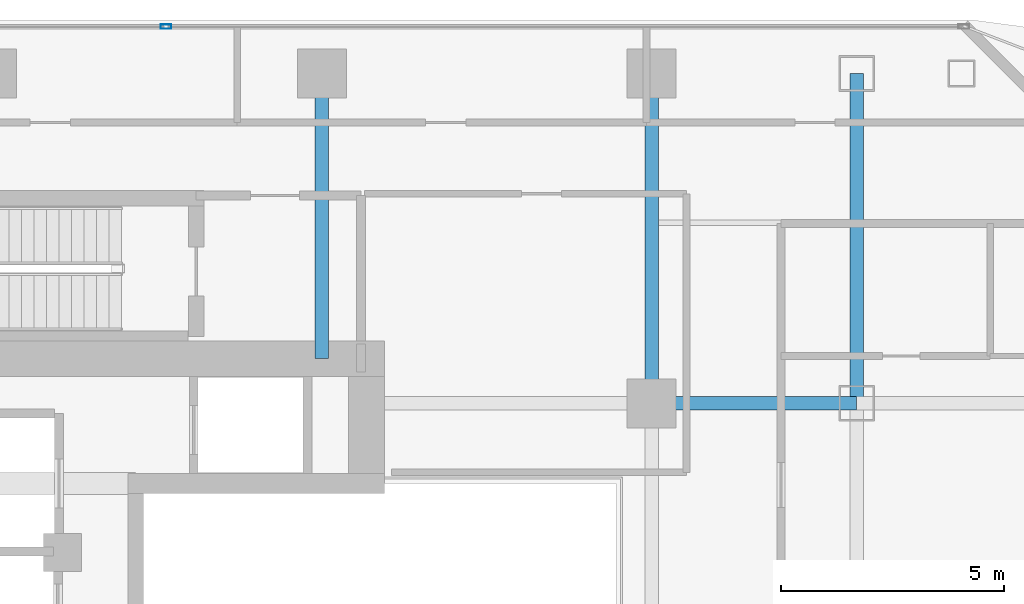
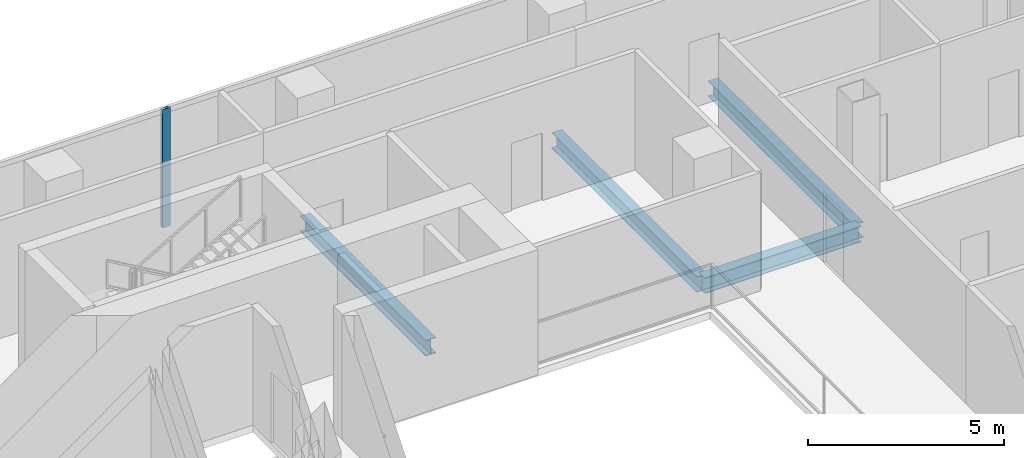
# One storey, part 15 of 27: 4 beams, 1 member, 1 element without a shape of its own.
"""IFC4 building model written with IfcOpenShell, lengths in metres."""

from ifc_helpers import new_model, si_unit, direction, frame, origin, origin_2d, place, context, subcontext, project, spatial, hollow_rectangle, i_section, extrude, material, layer, layer_set, material_profile, profile_set, type_object, element, aggregate, save


model = new_model("IFC4")

# Units and contexts
model_context = context("Model", 3, precision=1e-05, world=origin(), true_north=direction((0.0, 1.0)))
body_context = subcontext(model_context, "Body", "Model", "MODEL_VIEW")
ifc_project = project(units=[si_unit("LENGTHUNIT", "METRE"), si_unit("AREAUNIT", "SQUARE_METRE"), si_unit("VOLUMEUNIT", "CUBIC_METRE"), si_unit("PLANEANGLEUNIT", "RADIAN"), si_unit("MASSUNIT", "GRAM", prefix="KILO")], contexts=[model_context])

# Site, building, storey
site_placement = place(None, origin())
site = spatial("IfcSite", under=ifc_project, at=site_placement, CompositionType="ELEMENT")
building_placement = place(site_placement, origin())
building = spatial("IfcBuilding", under=site, at=building_placement, Name="Khorvyn Point Tower", CompositionType="ELEMENT")
storey_placement = place(building_placement, frame((0.0, 0.0, 227.39990234375)))
storey = spatial("IfcBuildingStorey", under=building, at=storey_placement, Name="L56", CompositionType="ELEMENT", Elevation=227.39990234375)

# Curtain wall, member
ifc_material_1 = material(Name="Anodised aluminium 6063-T6 and laminated Low-E glass", Category="aluminium")
ifc_layer = layer(ifc_material_1, 0.18994140625)
ifc_layer_set = layer_set([ifc_layer], Name="Stick-Built Acoustic Curtain Wall CW-SYS-03")
curtain_wall_type = type_object("IfcCurtainWallType", Name="Stick-Built Acoustic Curtain Wall CW-SYS-03", PredefinedType="NOTDEFINED", material=ifc_layer_set)
curtain_wall_placement = place(storey_placement, origin())
curtain_wall = element("IfcCurtainWall", 1, at=curtain_wall_placement, inside=storey, type_object=curtain_wall_type, Name="Curtain Wall", PredefinedType="NOTDEFINED")
ifc_material_2 = material(Name="Anodised aluminium 6063-T6", Category="aluminium")
ifc_material_profile_1 = material_profile(ifc_material_2, hollow_rectangle(XDim=0.10009765625, YDim=0.239990234375, WallThickness=0.0048828125, at=origin_2d()))
ifc_profile_set_1 = profile_set([ifc_material_profile_1], Name="Anodised aluminium 6063-T6 ALU-MUL-100x240")
member_type = type_object("IfcMemberType", Name="Anodised Aluminium 6063-T6 Mullion ALU-MUL-100x240", PredefinedType="MULLION", material=ifc_profile_set_1)
member_placement = place(storey_placement, frame((3.89990234375, 15.85009765625, 0.0), z_axis=(0.0, 0.0, 1.0), x_axis=(0.0, 1.0, 0.0)))
member = element("IfcMember", 2, at=member_placement, type_object=member_type, Name="Transom", PredefinedType="MULLION", context=body_context, shape_type="SweptSolid", body=[
    extrude(hollow_rectangle(XDim=0.10009765625, YDim=0.239990234375, WallThickness=0.0048828125, at=origin_2d()), origin(), (0.0, 0.0, 1.0), 3.68017578125),
])
aggregate(curtain_wall, [member])

# Beams
ifc_material_3 = material(Name="Steel S355", Category="steel")
ifc_material_profile_2 = material_profile(ifc_material_3, i_section(OverallWidth=0.300048828125, OverallDepth=0.488037109375, WebThickness=0.010986328125, FlangeThickness=0.01806640625, at=origin_2d()))
ifc_profile_set_2 = profile_set([ifc_material_profile_2], Name="Steel S355 H488x300x11x18")
beam_type = type_object("IfcBeamType", Name="Steel S355 Spandrel H488x300x11x18", PredefinedType="SPANDREL", material=ifc_profile_set_2)
beam_1_placement = place(storey_placement, frame((14.800048828125, 7.39990234375, -0.4638671875), z_axis=(1.0, 0.0, 0.0), x_axis=(0.0, 1.0, 0.0)))
element("IfcBeam", 3, at=beam_1_placement, inside=storey, type_object=beam_type, Name="Beam", PredefinedType="SPANDREL", context=body_context, shape_type="SweptSolid", body=[
    extrude(i_section(OverallWidth=0.300048828125, OverallDepth=0.488037109375, WebThickness=0.010986328125, FlangeThickness=0.01806640625, at=origin_2d()), origin(), (0.0, 0.0, 1.0), 4.599853515625),
])
beam_2_placement = place(storey_placement, frame((14.800048828125, 7.39990234375, -0.4638671875), z_axis=(0.0, 1.0, 0.0), x_axis=(-1.0, 0.0, 0.0)))
element("IfcBeam", 4, at=beam_2_placement, inside=storey, type_object=beam_type, Name="Beam", PredefinedType="SPANDREL", context=body_context, shape_type="SweptSolid", body=[
    extrude(i_section(OverallWidth=0.300048828125, OverallDepth=0.488037109375, WebThickness=0.010986328125, FlangeThickness=0.01806640625, at=origin_2d()), origin(), (0.0, 0.0, 1.0), 7.400146484375),
])
beam_3_placement = place(storey_placement, frame((7.39990234375, 8.39990234375, -0.4638671875), z_axis=(0.0, 1.0, 0.0), x_axis=(-1.0, 0.0, 0.0)))
element("IfcBeam", 5, at=beam_3_placement, inside=storey, type_object=beam_type, Name="Beam", PredefinedType="SPANDREL", context=body_context, shape_type="SweptSolid", body=[
    extrude(i_section(OverallWidth=0.300048828125, OverallDepth=0.488037109375, WebThickness=0.010986328125, FlangeThickness=0.01806640625, at=origin_2d()), origin(), (0.0, 0.0, 1.0), 6.400146484375),
])
beam_4_placement = place(storey_placement, frame((19.39990234375, 7.39990234375, -0.4638671875), z_axis=(0.0, 1.0, 0.0), x_axis=(-1.0, 0.0, 0.0)))
element("IfcBeam", 6, at=beam_4_placement, inside=storey, type_object=beam_type, Name="Beam", PredefinedType="SPANDREL", context=body_context, shape_type="SweptSolid", body=[
    extrude(i_section(OverallWidth=0.300048828125, OverallDepth=0.488037109375, WebThickness=0.010986328125, FlangeThickness=0.01806640625, at=origin_2d()), origin(), (0.0, 0.0, 1.0), 7.400146484375),
])

save(model, "model.ifc")
